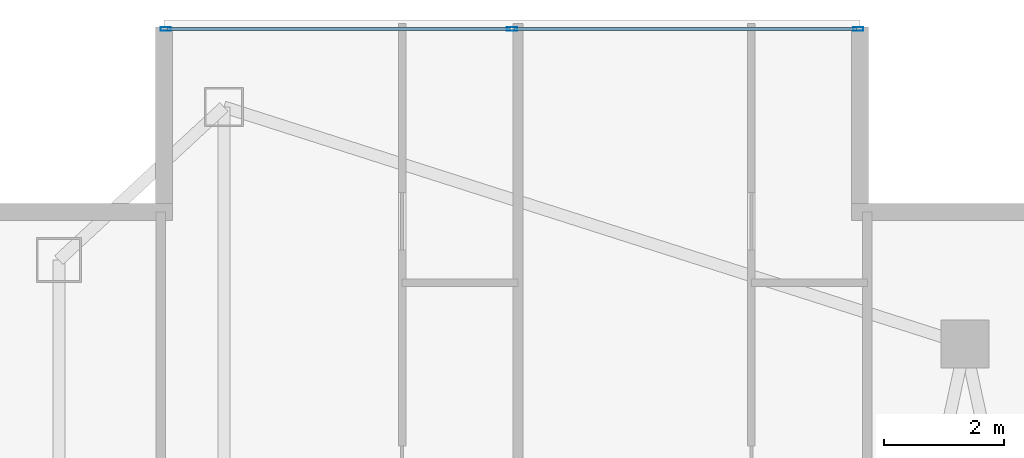
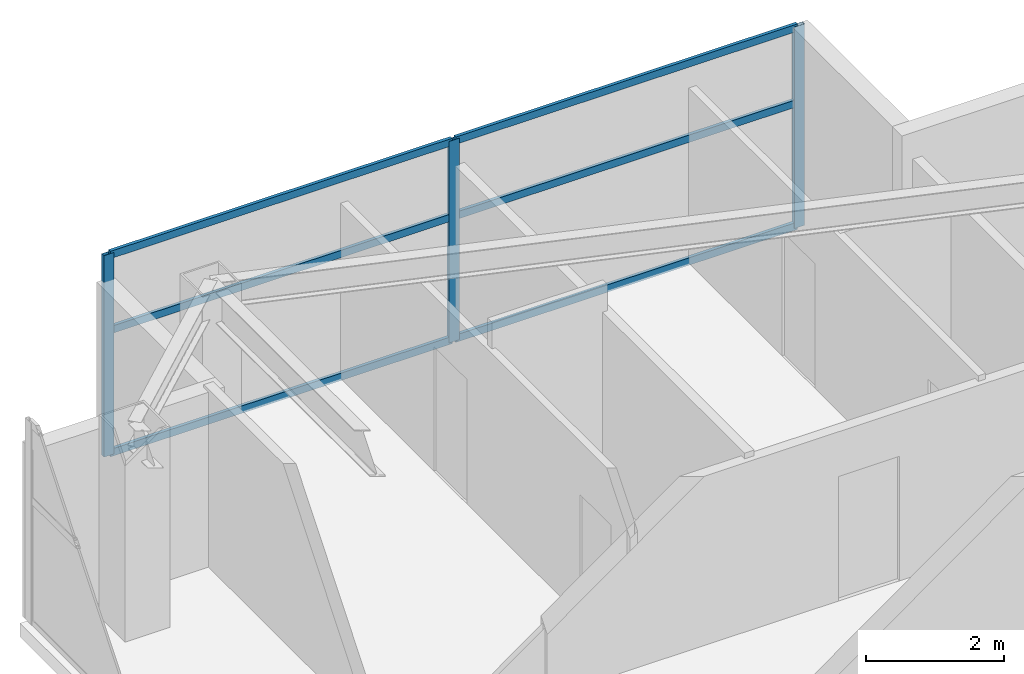
# One storey, part 21 of 28: 9 members, 1 element without a shape of its own.
"""IFC4 building model written with IfcOpenShell, lengths in metres."""

from ifc_helpers import new_model, si_unit, direction, frame, origin, origin_2d, place, context, subcontext, project, spatial, hollow_rectangle, extrude, material, layer, layer_set, material_profile, profile_set, type_object, element, aggregate, save


model = new_model("IFC4")

# Units and contexts
model_context = context("Model", 3, precision=1e-05, world=origin(), true_north=direction((0.0, 1.0)))
body_context = subcontext(model_context, "Body", "Model", "MODEL_VIEW")
ifc_project = project(units=[si_unit("LENGTHUNIT", "METRE"), si_unit("AREAUNIT", "SQUARE_METRE"), si_unit("VOLUMEUNIT", "CUBIC_METRE"), si_unit("PLANEANGLEUNIT", "RADIAN"), si_unit("MASSUNIT", "GRAM", prefix="KILO")], contexts=[model_context])

# Site, building, storey
site_placement = place(None, origin())
site = spatial("IfcSite", under=ifc_project, at=site_placement, CompositionType="ELEMENT")
building_placement = place(site_placement, origin())
building = spatial("IfcBuilding", under=site, at=building_placement, Name="Calvorn Quay Hotel", CompositionType="ELEMENT")
storey_placement = place(building_placement, frame((0.0, 0.0, 267.300048828125)))
storey = spatial("IfcBuildingStorey", under=building, at=storey_placement, Name="L66", CompositionType="ELEMENT", Elevation=267.300048828125)

# Curtain wall, members
ifc_material_1 = material(Name="Champagne Bronze Anodised Aluminium and Low-E Glass", Category="aluminium")
ifc_layer = layer(ifc_material_1, 0.219970703125)
ifc_layer_set = layer_set([ifc_layer], Name="CW-SYS-Z4")
curtain_wall_type = type_object("IfcCurtainWallType", Name="CW-SYS-Z4", PredefinedType="NOTDEFINED", material=ifc_layer_set)
curtain_wall_placement = place(storey_placement, origin())
curtain_wall = element("IfcCurtainWall", 1, at=curtain_wall_placement, inside=storey, type_object=curtain_wall_type, Name="Inner Court Curtain Wall L66-N1", PredefinedType="NOTDEFINED")
ifc_material_2 = material(Name="Champagne Bronze Anodised Aluminium 6063-T6", Category="aluminium")
ifc_material_profile_1 = material_profile(ifc_material_2, hollow_rectangle(XDim=0.06494140625, YDim=0.169921875, WallThickness=0.00341796875, at=origin_2d()), Name="ALU-M170x65x3.5")
ifc_profile_set_1 = profile_set([ifc_material_profile_1], Name="Champagne Bronze Anodised Aluminium 6063-T6")
member_type_1 = type_object("IfcMemberType", Name="CW-SYS-Z4-MUL", PredefinedType="MULLION", material=ifc_profile_set_1)
member_1_placement = place(storey_placement, frame((14.77001953125, 50.85009765625, 0.0), z_axis=(0.0, 0.0, 1.0), x_axis=(0.0, -1.0, 0.0)))
member_1 = element("IfcMember", 2, at=member_1_placement, type_object=member_type_1, Name="CW-L66-N1 mullion 1", PredefinedType="MULLION", context=body_context, shape_type="SweptSolid", body=[
    extrude(hollow_rectangle(XDim=0.06494140625, YDim=0.169921875, WallThickness=0.00341796875, at=origin_2d()), origin(), (0.0, 0.0, 1.0), 3.56005859375),
])
member_2_placement = place(storey_placement, frame((9.0, 50.85009765625, 0.0), z_axis=(0.0, 0.0, 1.0), x_axis=(0.0, -1.0, 0.0)))
member_2 = element("IfcMember", 3, at=member_2_placement, type_object=member_type_1, Name="CW-L66-N1 mullion 2", PredefinedType="MULLION", context=body_context, shape_type="SweptSolid", body=[
    extrude(hollow_rectangle(XDim=0.06494140625, YDim=0.169921875, WallThickness=0.00341796875, at=origin_2d()), origin(), (0.0, 0.0, 1.0), 3.56005859375),
])
member_3_placement = place(storey_placement, frame((3.22998046875, 50.85009765625, 0.0), z_axis=(0.0, 0.0, 1.0), x_axis=(0.0, -1.0, 0.0)))
member_3 = element("IfcMember", 4, at=member_3_placement, type_object=member_type_1, Name="CW-L66-N1 mullion 3", PredefinedType="MULLION", context=body_context, shape_type="SweptSolid", body=[
    extrude(hollow_rectangle(XDim=0.06494140625, YDim=0.169921875, WallThickness=0.00341796875, at=origin_2d()), origin(), (0.0, 0.0, 1.0), 3.56005859375),
])
ifc_material_3 = material(Name="Champagne Bronze Anodised Aluminium 6063-T6", Category="aluminium")
ifc_material_profile_2 = material_profile(ifc_material_3, hollow_rectangle(XDim=0.054931640625, YDim=0.1298828125, WallThickness=0.003173828125, at=origin_2d()), Name="ALU-T130x55x3.2")
ifc_profile_set_2 = profile_set([ifc_material_profile_2], Name="Champagne Bronze Anodised Aluminium 6063-T6")
member_type_2 = type_object("IfcMemberType", Name="CW-SYS-Z4-TRN", PredefinedType="USERDEFINED", material=ifc_profile_set_2)
member_4_placement = place(storey_placement, frame((14.739990234375, 50.85009765625, 0.030029296875), z_axis=(-1.0, 0.0, 0.0), x_axis=(0.0, -1.0, 0.0)))
member_4 = element("IfcMember", 5, at=member_4_placement, type_object=member_type_2, Name="CW-L66-N1 transom 1.1", ObjectType="TRANSOM", PredefinedType="USERDEFINED", context=body_context, shape_type="SweptSolid", body=[
    extrude(hollow_rectangle(XDim=0.054931640625, YDim=0.1298828125, WallThickness=0.003173828125, at=origin_2d()), origin(), (0.0, 0.0, 1.0), 5.7099609375),
])
member_5_placement = place(storey_placement, frame((14.739990234375, 50.85009765625, 2.199951171875), z_axis=(-1.0, 0.0, 0.0), x_axis=(0.0, -1.0, 0.0)))
member_5 = element("IfcMember", 6, at=member_5_placement, type_object=member_type_2, Name="CW-L66-N1 transom 1.2", ObjectType="TRANSOM", PredefinedType="USERDEFINED", context=body_context, shape_type="SweptSolid", body=[
    extrude(hollow_rectangle(XDim=0.054931640625, YDim=0.1298828125, WallThickness=0.003173828125, at=origin_2d()), origin(), (0.0, 0.0, 1.0), 5.7099609375),
])
member_6_placement = place(storey_placement, frame((14.739990234375, 50.85009765625, 3.530029296875), z_axis=(-1.0, 0.0, 0.0), x_axis=(0.0, -1.0, 0.0)))
member_6 = element("IfcMember", 7, at=member_6_placement, type_object=member_type_2, Name="CW-L66-N1 transom 1.3", ObjectType="TRANSOM", PredefinedType="USERDEFINED", context=body_context, shape_type="SweptSolid", body=[
    extrude(hollow_rectangle(XDim=0.054931640625, YDim=0.1298828125, WallThickness=0.003173828125, at=origin_2d()), origin(), (0.0, 0.0, 1.0), 5.7099609375),
])
member_7_placement = place(storey_placement, frame((8.969970703125, 50.85009765625, 0.030029296875), z_axis=(-1.0, 0.0, 0.0), x_axis=(0.0, -1.0, 0.0)))
member_7 = element("IfcMember", 8, at=member_7_placement, type_object=member_type_2, Name="CW-L66-N1 transom 2.1", ObjectType="TRANSOM", PredefinedType="USERDEFINED", context=body_context, shape_type="SweptSolid", body=[
    extrude(hollow_rectangle(XDim=0.054931640625, YDim=0.1298828125, WallThickness=0.003173828125, at=origin_2d()), origin(), (0.0, 0.0, 1.0), 5.7099609375),
])
member_8_placement = place(storey_placement, frame((8.969970703125, 50.85009765625, 2.199951171875), z_axis=(-1.0, 0.0, 0.0), x_axis=(0.0, -1.0, 0.0)))
member_8 = element("IfcMember", 9, at=member_8_placement, type_object=member_type_2, Name="CW-L66-N1 transom 2.2", ObjectType="TRANSOM", PredefinedType="USERDEFINED", context=body_context, shape_type="SweptSolid", body=[
    extrude(hollow_rectangle(XDim=0.054931640625, YDim=0.1298828125, WallThickness=0.003173828125, at=origin_2d()), origin(), (0.0, 0.0, 1.0), 5.7099609375),
])
member_9_placement = place(storey_placement, frame((8.969970703125, 50.85009765625, 3.530029296875), z_axis=(-1.0, 0.0, 0.0), x_axis=(0.0, -1.0, 0.0)))
member_9 = element("IfcMember", 10, at=member_9_placement, type_object=member_type_2, Name="CW-L66-N1 transom 2.3", ObjectType="TRANSOM", PredefinedType="USERDEFINED", context=body_context, shape_type="SweptSolid", body=[
    extrude(hollow_rectangle(XDim=0.054931640625, YDim=0.1298828125, WallThickness=0.003173828125, at=origin_2d()), origin(), (0.0, 0.0, 1.0), 5.7099609375),
])
aggregate(curtain_wall, [member_1, member_2, member_3, member_4, member_5, member_6, member_7, member_8, member_9])

save(model, "model.ifc")
